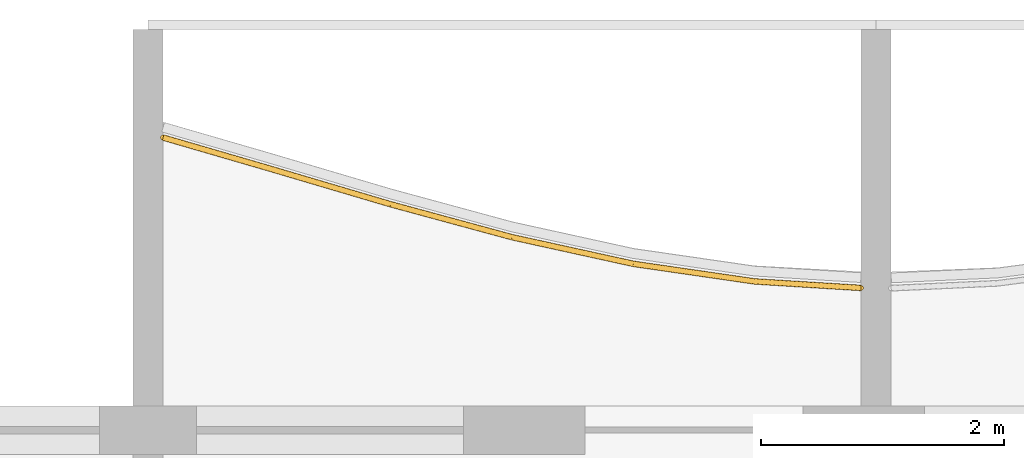
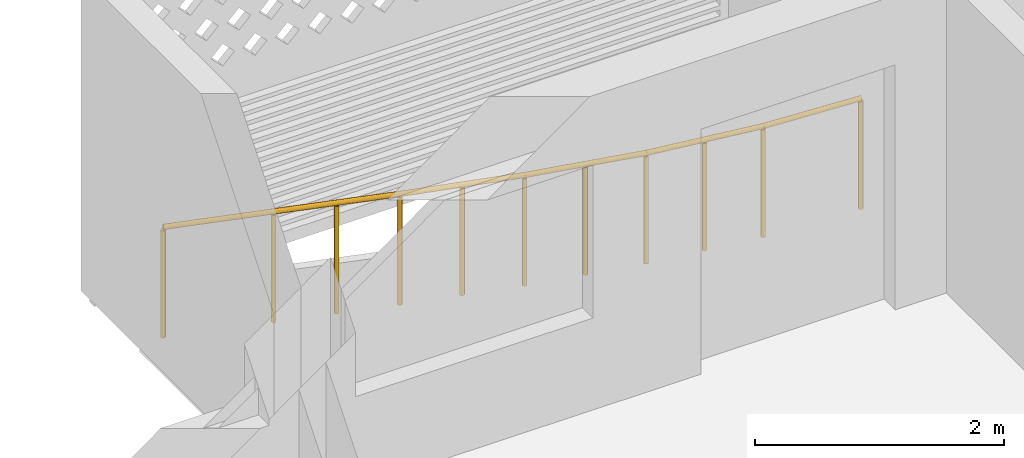
# One storey, part 21 of 26: 1 railing.
"""IFC4 building model written with IfcOpenShell, lengths in metres."""

from ifc_helpers import new_model, si_unit, direction, frame, origin, origin_2d, place, context, subcontext, project, spatial, circle, extrude, material, type_object, element, save


model = new_model("IFC4")

# Units and contexts
model_context = context("Model", 3, precision=1e-05, world=origin(), true_north=direction((0.0, 1.0)))
body_context = subcontext(model_context, "Body", "Model", "MODEL_VIEW")
ifc_project = project(units=[si_unit("LENGTHUNIT", "METRE"), si_unit("AREAUNIT", "SQUARE_METRE"), si_unit("VOLUMEUNIT", "CUBIC_METRE"), si_unit("PLANEANGLEUNIT", "RADIAN"), si_unit("MASSUNIT", "GRAM", prefix="KILO")], contexts=[model_context])

# Site, building, storey
site_placement = place(None, origin())
site = spatial("IfcSite", under=ifc_project, at=site_placement, CompositionType="ELEMENT")
building_placement = place(site_placement, origin())
building = spatial("IfcBuilding", under=site, at=building_placement, Name="Poui Terraces", CompositionType="ELEMENT")
storey_placement = place(building_placement, frame((0.0, 0.0, 244.5)))
storey = spatial("IfcBuildingStorey", under=building, at=storey_placement, Name="L68", CompositionType="ELEMENT", Elevation=244.5)

# Railing
ifc_material = material(Name="Painted steel fretwork", Category="steel")
railing_type = type_object("IfcRailingType", Name="BALCONY GUARD 1100", PredefinedType="GUARDRAIL", material=ifc_material)
railing_placement = place(storey_placement, frame((60.125, 43.611328125, 0.0)))
element("IfcRailing", 1, at=railing_placement, inside=storey, type_object=railing_type, Name="BALCONY GUARD", PredefinedType="GUARDRAIL", context=body_context, shape_type="SweptSolid", body=[
    extrude(circle(Radius=0.02392578125, at=origin_2d()), frame((0.0, 0.0, 1.076171875), z_axis=(0.960239707098, -0.279176834485, 0.0), x_axis=(0.279176834485, 0.960239707098, 0.0)), (0.0, 0.0, 1.0), 0.9111328125),
    extrude(circle(Radius=0.02392578125, at=origin_2d()), frame((0.875, -0.25439453125, 1.076171875), z_axis=(0.959029275123, -0.283306988012, 0.0), x_axis=(0.283306988012, 0.959029275123, 0.0)), (0.0, 0.0, 1.0), 1.042724609375),
    extrude(circle(Radius=0.02392578125, at=origin_2d()), frame((1.875, -0.5498046875, 1.076171875), z_axis=(0.965127211662, -0.261781331093, 0.0), x_axis=(0.261781331093, 0.965127211662, 0.0)), (0.0, 0.0, 1.0), 1.0361328125),
    extrude(circle(Radius=0.02392578125, at=origin_2d()), frame((2.875, -0.821044921875, 1.076171875), z_axis=(0.97675043296, -0.214379550593, 0.0), x_axis=(0.214379550593, 0.97675043296, 0.0)), (0.0, 0.0, 1.0), 1.023681640625),
    extrude(circle(Radius=0.02392578125, at=origin_2d()), frame((3.875, -1.04052734375, 1.076171875), z_axis=(0.989647671833, -0.143518241472, 0.0), x_axis=(0.143518241472, 0.989647671833, 0.0)), (0.0, 0.0, 1.0), 1.010498046875),
    extrude(circle(Radius=0.02392578125, at=origin_2d()), frame((4.875, -1.185546875, 1.076171875), z_axis=(0.99812131414, -0.061268607453, 0.0), x_axis=(0.061268607453, 0.99812131414, 0.0)), (0.0, 0.0, 1.0), 0.876708984375),
    extrude(circle(Radius=0.02099609375, at=origin_2d()), origin(), (0.0, 0.0, 1.0), 1.052001953125),
    extrude(circle(Radius=0.02099609375, at=origin_2d()), frame((0.875, -0.25439453125, 0.0)), (0.0, 0.0, 1.0), 1.052001953125),
    extrude(circle(Radius=0.02099609375, at=origin_2d()), frame((1.375, -0.402099609375, 0.0)), (0.0, 0.0, 1.0), 1.052001953125),
    extrude(circle(Radius=0.02099609375, at=origin_2d()), frame((1.875, -0.5498046875, 0.0)), (0.0, 0.0, 1.0), 1.052001953125),
    extrude(circle(Radius=0.02099609375, at=origin_2d()), frame((2.375, -0.685546875, 0.0)), (0.0, 0.0, 1.0), 1.052001953125),
    extrude(circle(Radius=0.02099609375, at=origin_2d()), frame((2.875, -0.821044921875, 0.0)), (0.0, 0.0, 1.0), 1.052001953125),
    extrude(circle(Radius=0.02099609375, at=origin_2d()), frame((3.375, -0.9306640625, 0.0)), (0.0, 0.0, 1.0), 1.052001953125),
    extrude(circle(Radius=0.02099609375, at=origin_2d()), frame((3.875, -1.04052734375, 0.0)), (0.0, 0.0, 1.0), 1.052001953125),
    extrude(circle(Radius=0.02099609375, at=origin_2d()), frame((4.375, -1.113037109375, 0.0)), (0.0, 0.0, 1.0), 1.052001953125),
    extrude(circle(Radius=0.02099609375, at=origin_2d()), frame((4.875, -1.185546875, 0.0)), (0.0, 0.0, 1.0), 1.052001953125),
    extrude(circle(Radius=0.02099609375, at=origin_2d()), frame((5.75, -1.2392578125, 0.0)), (0.0, 0.0, 1.0), 1.052001953125),
])

save(model, "model.ifc")
